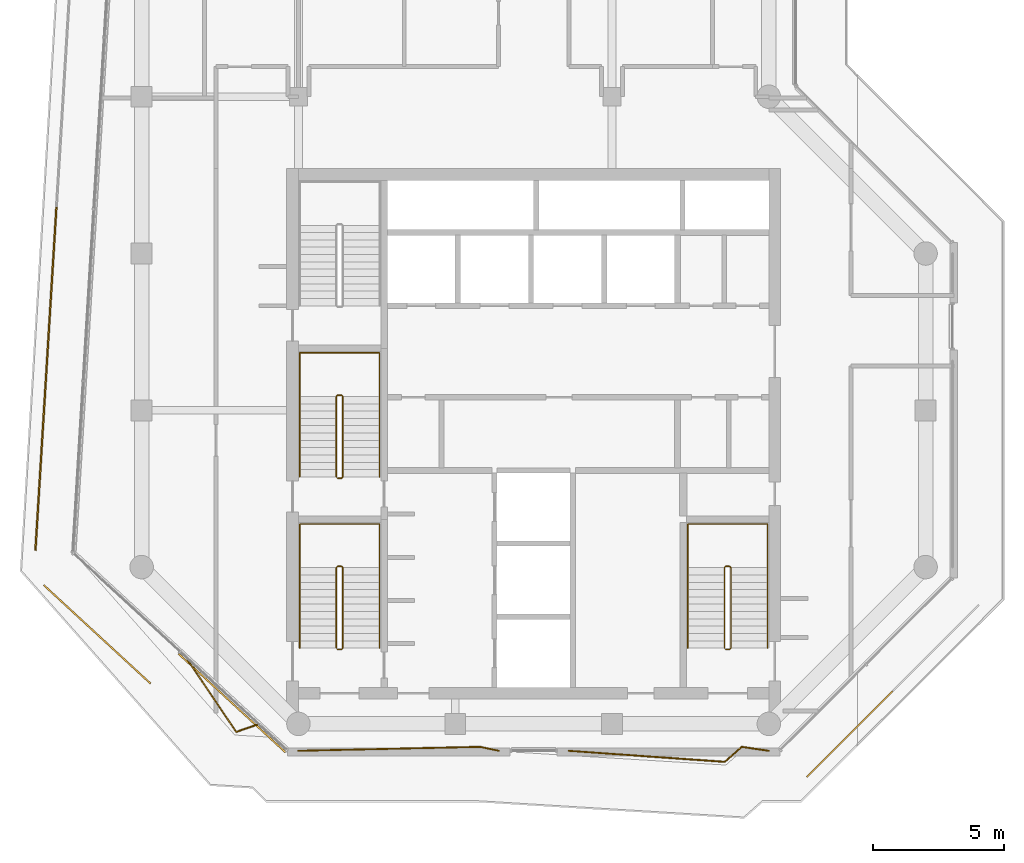
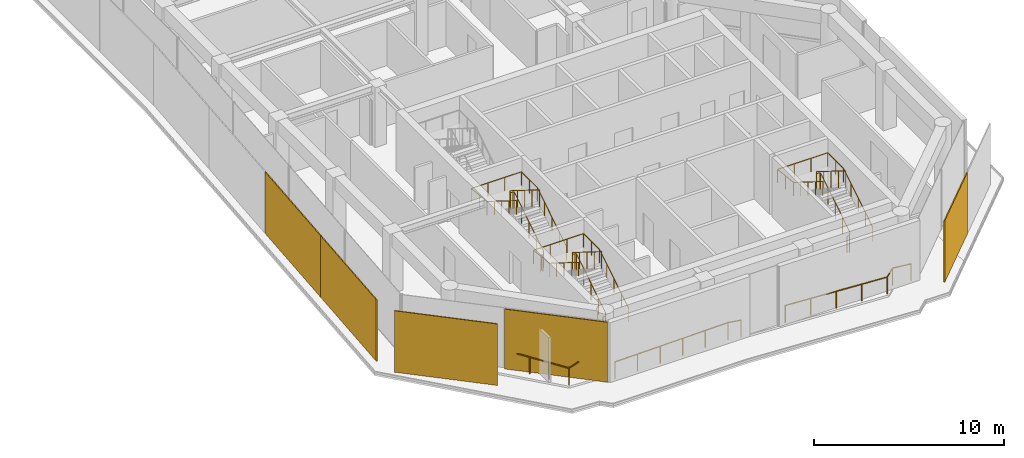
# One storey, part 18 of 19: 9 railings, 5 coverings.
"""IFC4 building model written with IfcOpenShell, lengths in metres."""

from ifc_helpers import new_model, si_unit, direction, frame, origin, origin_2d, place, context, subcontext, project, spatial, rectangle, circle, extrude, material, layer, layer_set, type_object, element, save


model = new_model("IFC4")

# Units and contexts
model_context = context("Model", 3, precision=1e-05, world=origin(), true_north=direction((0.0, 1.0)))
body_context = subcontext(model_context, "Body", "Model", "MODEL_VIEW")
ifc_project = project(units=[si_unit("LENGTHUNIT", "METRE"), si_unit("AREAUNIT", "SQUARE_METRE"), si_unit("VOLUMEUNIT", "CUBIC_METRE"), si_unit("PLANEANGLEUNIT", "RADIAN"), si_unit("MASSUNIT", "GRAM", prefix="KILO")], contexts=[model_context])

# Site, building, storey
site_placement = place(None, origin())
site = spatial("IfcSite", under=ifc_project, at=site_placement, CompositionType="ELEMENT")
building_placement = place(site_placement, origin())
building = spatial("IfcBuilding", under=site, at=building_placement, Name="Welwitschia Terrace Campus", CompositionType="ELEMENT")
storey_placement = place(building_placement, frame((0.0, 0.0, 243.199951171875)))
storey = spatial("IfcBuildingStorey", under=building, at=storey_placement, Name="L54", CompositionType="ELEMENT", Elevation=243.199951171875)

# Coverings
ifc_material_1 = material(Name="Bronze mesh aluminium screen", Category="aluminium")
ifc_layer = layer(ifc_material_1, 0.06005859375)
ifc_layer_set = layer_set([ifc_layer], Name="Bronze mesh aluminium screen")
covering_type = type_object("IfcCoveringType", Name="Bronze screen 60", PredefinedType="USERDEFINED", material=ifc_layer_set)
for number, where, z_axis, x_axis, name in (
    (1, (-3.462890625, 20.49169921875, 0.0), (0.0, 0.0, 1.0), (-0.061048539535, -0.998134798422, 0.0), "Screen L54.0.2"),
    (2, (-3.865234375, 13.9150390625, 0.0), (0.0, 0.0, 1.0), (-0.061048539535, -0.998134798422, 0.0), "Screen L54.0.3"),
):
    element("IfcCovering", number, at=place(storey_placement, frame(where, z_axis=z_axis, x_axis=x_axis)), inside=storey, type_object=covering_type, Name=name, ObjectType="SCREEN", PredefinedType="USERDEFINED", context=body_context, shape_type="SweptSolid", body=[
        extrude(rectangle(XDim=6.569091796875, YDim=0.06005859375, at=origin_2d()), origin(), (0.0, 0.0, 1.0), 3.949951171875),
    ])
covering_1_placement = place(storey_placement, frame((-1.706787109375, 7.430908203125, 0.0), z_axis=(0.0, 0.0, 1.0), x_axis=(0.735310614007, -0.677730256761, 0.0)))
element("IfcCovering", 3, at=covering_1_placement, inside=storey, type_object=covering_type, Name="Screen L54.1.0", ObjectType="SCREEN", PredefinedType="USERDEFINED", context=body_context, shape_type="SweptSolid", body=[
    extrude(rectangle(XDim=5.564208984375, YDim=0.06005859375, at=origin_2d()), origin(), (0.0, 0.0, 1.0), 3.949951171875),
])
covering_2_placement = place(storey_placement, frame((3.459228515625, 4.796142578125, 0.0), z_axis=(0.0, 0.0, 1.0), x_axis=(0.735310614007, -0.677730256761, 0.0)))
element("IfcCovering", 4, at=covering_2_placement, inside=storey, type_object=covering_type, Name="Screen L54.1.1", ObjectType="SCREEN", PredefinedType="USERDEFINED", context=body_context, shape_type="SweptSolid", body=[
    extrude(rectangle(XDim=5.564208984375, YDim=0.06005859375, at=origin_2d()), origin(), (0.0, 0.0, 1.0), 3.85009765625),
])
covering_3_placement = place(storey_placement, frame((27.088623046875, 3.609619140625, 0.0), z_axis=(0.0, 0.0, 1.0), x_axis=(0.707106781187, 0.707106781187, 0.0)))
element("IfcCovering", 5, at=covering_3_placement, inside=storey, type_object=covering_type, Name="Screen L54.3.0", ObjectType="SCREEN", PredefinedType="USERDEFINED", context=body_context, shape_type="SweptSolid", body=[
    extrude(rectangle(XDim=4.6494140625, YDim=0.06005859375, at=origin_2d()), origin(), (0.0, 0.0, 1.0), 3.949951171875),
])

# Railings
ifc_material_2 = material(Name="Stainless steel grade 316", Category="steel")
railing_type_1 = type_object("IfcRailingType", Name="Guard 1100", PredefinedType="GUARDRAIL", material=ifc_material_2)
railing_1_placement = place(storey_placement, frame((4.468017578125, 3.98876953125, 0.0)))
element("IfcRailing", 6, at=railing_1_placement, inside=storey, type_object=railing_type_1, Name="Guard floor edge L54.1", PredefinedType="GUARDRAIL", context=body_context, shape_type="SweptSolid", body=[
    extrude(circle(Radius=0.02392578125, at=origin_2d()), frame((0.0, 0.0, 1.076171875), z_axis=(-0.943480803884, -0.331427175565, 0.0), x_axis=(0.331427175565, -0.943480803884, 0.0)), (0.0, 0.0, 1.0), 0.898681640625),
    extrude(circle(Radius=0.02392578125, at=origin_2d()), frame((-0.847900390625, -0.2978515625, 1.076171875), z_axis=(-0.559987176409, 0.828501274747, 0.0), x_axis=(-0.828501274747, -0.559987176409, 0.0)), (0.0, 0.0, 1.0), 3.4560546875),
    extrude(circle(Radius=0.02099609375, at=origin_2d()), origin(), (0.0, 0.0, 1.0), 1.052001953125),
    extrude(circle(Radius=0.02099609375, at=origin_2d()), frame((-0.847900390625, -0.2978515625, 0.0)), (0.0, 0.0, 1.0), 1.052001953125),
    extrude(circle(Radius=0.02099609375, at=origin_2d()), frame((-1.492919921875, 0.656494140625, 0.0)), (0.0, 0.0, 1.0), 1.052001953125),
    extrude(circle(Radius=0.02099609375, at=origin_2d()), frame((-2.13818359375, 1.611083984375, 0.0)), (0.0, 0.0, 1.0), 1.052001953125),
    extrude(circle(Radius=0.02099609375, at=origin_2d()), frame((-2.783203125, 2.5654296875, 0.0)), (0.0, 0.0, 1.0), 1.052001953125),
])
railing_2_placement = place(storey_placement, frame((13.663330078125, 2.969970703125, 0.0)))
element("IfcRailing", 7, at=railing_2_placement, inside=storey, type_object=railing_type_1, Name="Guard floor edge L54.2", PredefinedType="GUARDRAIL", context=body_context, shape_type="SweptSolid", body=[
    extrude(circle(Radius=0.02392578125, at=origin_2d()), frame((0.0, 0.0, 1.076171875), z_axis=(-0.978171729919, 0.207798139517, 0.0), x_axis=(-0.207798139517, -0.978171729919, 0.0)), (0.0, 0.0, 1.0), 0.72265625),
    extrude(circle(Radius=0.02392578125, at=origin_2d()), frame((-0.706787109375, 0.150146484375, 1.076171875), z_axis=(-0.99976732109, -0.021570898908, 0.0), x_axis=(0.021570898908, -0.99976732109, 0.0)), (0.0, 0.0, 1.0), 6.960693359375),
    extrude(circle(Radius=0.02099609375, at=origin_2d()), origin(), (0.0, 0.0, 1.0), 1.052001953125),
    extrude(circle(Radius=0.02099609375, at=origin_2d()), frame((-0.706787109375, 0.150146484375, 0.0)), (0.0, 0.0, 1.0), 1.052001953125),
    extrude(circle(Radius=0.02099609375, at=origin_2d()), frame((-2.0986328125, 0.1201171875, 0.0)), (0.0, 0.0, 1.0), 1.052001953125),
    extrude(circle(Radius=0.02099609375, at=origin_2d()), frame((-3.490478515625, 0.090087890625, 0.0)), (0.0, 0.0, 1.0), 1.052001953125),
    extrude(circle(Radius=0.02099609375, at=origin_2d()), frame((-4.882080078125, 0.06005859375, 0.0)), (0.0, 0.0, 1.0), 1.052001953125),
    extrude(circle(Radius=0.02099609375, at=origin_2d()), frame((-6.27392578125, 0.030029296875, 0.0)), (0.0, 0.0, 1.0), 1.052001953125),
    extrude(circle(Radius=0.02099609375, at=origin_2d()), frame((-7.665771484375, 0.0, 0.0)), (0.0, 0.0, 1.0), 1.052001953125),
])
railing_3_placement = place(storey_placement, frame((24.0029296875, 2.969970703125, 0.0)))
element("IfcRailing", 8, at=railing_3_placement, inside=storey, type_object=railing_type_1, Name="Guard floor edge L54.4", PredefinedType="GUARDRAIL", context=body_context, shape_type="SweptSolid", body=[
    extrude(circle(Radius=0.02392578125, at=origin_2d()), frame((0.0, 0.0, 1.076171875), z_axis=(-0.989772435078, 0.142655272457, 0.0), x_axis=(-0.142655272457, -0.989772435078, 0.0)), (0.0, 0.0, 1.0), 1.052490234375),
    extrude(circle(Radius=0.02392578125, at=origin_2d()), frame((-1.041748046875, 0.150146484375, 1.076171875), z_axis=(-0.748888672256, -0.662695825071, 0.0), x_axis=(0.662695825071, -0.748888672256, 0.0)), (0.0, 0.0, 1.0), 0.864013671875),
    extrude(circle(Radius=0.02392578125, at=origin_2d()), frame((-1.688720703125, -0.42236328125, 1.076171875), z_axis=(-0.99750529572, 0.070591678049, 0.0), x_axis=(-0.070591678049, -0.99750529572, 0.0)), (0.0, 0.0, 1.0), 5.983154296875),
    extrude(circle(Radius=0.02099609375, at=origin_2d()), origin(), (0.0, 0.0, 1.0), 1.052001953125),
    extrude(circle(Radius=0.02099609375, at=origin_2d()), frame((-1.041748046875, 0.150146484375, 0.0)), (0.0, 0.0, 1.0), 1.052001953125),
    extrude(circle(Radius=0.02099609375, at=origin_2d()), frame((-1.688720703125, -0.42236328125, 0.0)), (0.0, 0.0, 1.0), 1.052001953125),
    extrude(circle(Radius=0.02099609375, at=origin_2d()), frame((-3.1806640625, -0.31689453125, 0.0)), (0.0, 0.0, 1.0), 1.052001953125),
    extrude(circle(Radius=0.02099609375, at=origin_2d()), frame((-4.6728515625, -0.211181640625, 0.0)), (0.0, 0.0, 1.0), 1.052001953125),
    extrude(circle(Radius=0.02099609375, at=origin_2d()), frame((-6.1650390625, -0.10546875, 0.0)), (0.0, 0.0, 1.0), 1.052001953125),
    extrude(circle(Radius=0.02099609375, at=origin_2d()), frame((-7.656982421875, 0.0, 0.0)), (0.0, 0.0, 1.0), 1.052001953125),
])
ifc_material_3 = material(Name="Steel S355", Category="steel")
railing_type_2 = type_object("IfcRailingType", Name="Stair guard 1100", PredefinedType="GUARDRAIL", material=ifc_material_3)
railing_4_placement = place(storey_placement, frame((7.5, 6.85009765625, 0.0)))
element("IfcRailing", 9, at=railing_4_placement, inside=storey, type_object=railing_type_2, Name="L54 S1 stair guard", PredefinedType="GUARDRAIL", context=body_context, shape_type="SweptSolid", body=[
    extrude(circle(Radius=0.02392578125, at=origin_2d()), frame((0.0, 0.0, 1.076171875), z_axis=(1.0, 0.0, 0.0), x_axis=(0.0, 1.0, 0.0)), (0.0, 0.0, 1.0), 0.14990234375),
    extrude(circle(Radius=0.02392578125, at=origin_2d()), frame((0.14990234375, 0.0, 1.076171875), z_axis=(0.265155923931, 0.263862480399, 0.927399011991), x_axis=(-0.705375805398, 0.708833529934, 0.0)), (0.0, 0.0, 1.0), 0.188720703125),
    extrude(circle(Radius=0.02392578125, at=origin_2d()), frame((0.199951171875, 0.0498046875, 1.2509765625), z_axis=(0.0, 0.847998304005, 0.529998940003), x_axis=(-1.0, 0.0, 0.0)), (0.0, 0.0, 1.0), 3.632080078125),
    extrude(circle(Radius=0.02392578125, at=origin_2d()), frame((0.199951171875, 3.1298828125, 3.17626953125), z_axis=(-0.707106781187, 0.707106781187, 0.0), x_axis=(-0.707106781187, -0.707106781187, 0.0)), (0.0, 0.0, 1.0), 0.07080078125),
    extrude(circle(Radius=0.02392578125, at=origin_2d()), frame((0.14990234375, 3.179931640625, 3.17626953125), z_axis=(-1.0, 0.0, 0.0), x_axis=(0.0, -1.0, 0.0)), (0.0, 0.0, 1.0), 0.14990234375),
    extrude(circle(Radius=0.02392578125, at=origin_2d()), frame((0.0, 3.179931640625, 3.17626953125), z_axis=(-0.265065253269, -0.265065253269, 0.927081885822), x_axis=(0.707106781187, -0.707106781187, 0.0)), (0.0, 0.0, 1.0), 0.188720703125),
    extrude(circle(Radius=0.02392578125, at=origin_2d()), frame((-0.050048828125, 3.1298828125, 3.35107421875), z_axis=(0.0, -0.848028513186, 0.529950602248), x_axis=(1.0, 0.0, 0.0)), (0.0, 0.0, 1.0), 3.632080078125),
    extrude(circle(Radius=0.02099609375, at=origin_2d()), origin(), (0.0, 0.0, 1.0), 1.052001953125),
    extrude(circle(Radius=0.02099609375, at=origin_2d()), frame((0.14990234375, 0.0, 0.0)), (0.0, 0.0, 1.0), 1.052001953125),
    extrude(circle(Radius=0.02099609375, at=origin_2d()), frame((0.199951171875, 0.0498046875, 0.175048828125)), (0.0, 0.0, 1.0), 1.052001953125),
    extrude(circle(Radius=0.02099609375, at=origin_2d()), frame((0.199951171875, 0.81982421875, 0.65625)), (0.0, 0.0, 1.0), 1.052001953125),
    extrude(circle(Radius=0.02099609375, at=origin_2d()), frame((0.199951171875, 1.58984375, 1.1376953125)), (0.0, 0.0, 1.0), 1.052001953125),
    extrude(circle(Radius=0.02099609375, at=origin_2d()), frame((0.199951171875, 2.35986328125, 1.618896484375)), (0.0, 0.0, 1.0), 1.052001953125),
    extrude(circle(Radius=0.02099609375, at=origin_2d()), frame((0.199951171875, 3.1298828125, 2.10009765625)), (0.0, 0.0, 1.0), 1.052001953125),
    extrude(circle(Radius=0.02099609375, at=origin_2d()), frame((0.14990234375, 3.179931640625, 2.10009765625)), (0.0, 0.0, 1.0), 1.052001953125),
    extrude(circle(Radius=0.02099609375, at=origin_2d()), frame((0.0, 3.179931640625, 2.10009765625)), (0.0, 0.0, 1.0), 1.052001953125),
    extrude(circle(Radius=0.02099609375, at=origin_2d()), frame((-0.050048828125, 3.1298828125, 2.275146484375)), (0.0, 0.0, 1.0), 1.052001953125),
    extrude(circle(Radius=0.02099609375, at=origin_2d()), frame((-0.050048828125, 2.35986328125, 2.75634765625)), (0.0, 0.0, 1.0), 1.052001953125),
    extrude(circle(Radius=0.02099609375, at=origin_2d()), frame((-0.050048828125, 1.58984375, 3.237548828125)), (0.0, 0.0, 1.0), 1.052001953125),
    extrude(circle(Radius=0.02099609375, at=origin_2d()), frame((-0.050048828125, 0.81982421875, 3.71875)), (0.0, 0.0, 1.0), 1.052001953125),
    extrude(circle(Radius=0.02099609375, at=origin_2d()), frame((-0.050048828125, 0.0498046875, 4.199951171875)), (0.0, 0.0, 1.0), 1.052001953125),
])
railing_5_placement = place(storey_placement, frame((7.5, 13.39990234375, 0.0)))
element("IfcRailing", 10, at=railing_5_placement, inside=storey, type_object=railing_type_2, Name="L54 S3 stair guard", PredefinedType="GUARDRAIL", context=body_context, shape_type="SweptSolid", body=[
    extrude(circle(Radius=0.02392578125, at=origin_2d()), frame((0.0, 0.0, 1.076171875), z_axis=(1.0, 0.0, 0.0), x_axis=(0.0, 1.0, 0.0)), (0.0, 0.0, 1.0), 0.14990234375),
    extrude(circle(Radius=0.02392578125, at=origin_2d()), frame((0.14990234375, 0.0, 1.076171875), z_axis=(0.265065253269, 0.265065253269, 0.927081885822), x_axis=(-0.707106781187, 0.707106781187, 0.0)), (0.0, 0.0, 1.0), 0.188720703125),
    extrude(circle(Radius=0.02392578125, at=origin_2d()), frame((0.199951171875, 0.050048828125, 1.2509765625), z_axis=(0.0, 0.847998304005, 0.529998940003), x_axis=(-1.0, 0.0, 0.0)), (0.0, 0.0, 1.0), 3.632080078125),
    extrude(circle(Radius=0.02392578125, at=origin_2d()), frame((0.199951171875, 3.130126953125, 3.17626953125), z_axis=(-0.707106781187, 0.707106781187, 0.0), x_axis=(-0.707106781187, -0.707106781187, 0.0)), (0.0, 0.0, 1.0), 0.07080078125),
    extrude(circle(Radius=0.02392578125, at=origin_2d()), frame((0.14990234375, 3.18017578125, 3.17626953125), z_axis=(-1.0, 0.0, 0.0), x_axis=(0.0, -1.0, 0.0)), (0.0, 0.0, 1.0), 0.14990234375),
    extrude(circle(Radius=0.02392578125, at=origin_2d()), frame((0.0, 3.18017578125, 3.17626953125), z_axis=(-0.265065253269, -0.265065253269, 0.927081885822), x_axis=(0.707106781187, -0.707106781187, 0.0)), (0.0, 0.0, 1.0), 0.188720703125),
    extrude(circle(Radius=0.02392578125, at=origin_2d()), frame((-0.050048828125, 3.130126953125, 3.35107421875), z_axis=(0.0, -0.848028513186, 0.529950602248), x_axis=(1.0, 0.0, 0.0)), (0.0, 0.0, 1.0), 3.632080078125),
    extrude(circle(Radius=0.02099609375, at=origin_2d()), origin(), (0.0, 0.0, 1.0), 1.052001953125),
    extrude(circle(Radius=0.02099609375, at=origin_2d()), frame((0.14990234375, 0.0, 0.0)), (0.0, 0.0, 1.0), 1.052001953125),
    extrude(circle(Radius=0.02099609375, at=origin_2d()), frame((0.199951171875, 0.050048828125, 0.175048828125)), (0.0, 0.0, 1.0), 1.052001953125),
    extrude(circle(Radius=0.02099609375, at=origin_2d()), frame((0.199951171875, 0.820068359375, 0.65625)), (0.0, 0.0, 1.0), 1.052001953125),
    extrude(circle(Radius=0.02099609375, at=origin_2d()), frame((0.199951171875, 1.590087890625, 1.1376953125)), (0.0, 0.0, 1.0), 1.052001953125),
    extrude(circle(Radius=0.02099609375, at=origin_2d()), frame((0.199951171875, 2.360107421875, 1.618896484375)), (0.0, 0.0, 1.0), 1.052001953125),
    extrude(circle(Radius=0.02099609375, at=origin_2d()), frame((0.199951171875, 3.130126953125, 2.10009765625)), (0.0, 0.0, 1.0), 1.052001953125),
    extrude(circle(Radius=0.02099609375, at=origin_2d()), frame((0.14990234375, 3.18017578125, 2.10009765625)), (0.0, 0.0, 1.0), 1.052001953125),
    extrude(circle(Radius=0.02099609375, at=origin_2d()), frame((0.0, 3.18017578125, 2.10009765625)), (0.0, 0.0, 1.0), 1.052001953125),
    extrude(circle(Radius=0.02099609375, at=origin_2d()), frame((-0.050048828125, 3.130126953125, 2.275146484375)), (0.0, 0.0, 1.0), 1.052001953125),
    extrude(circle(Radius=0.02099609375, at=origin_2d()), frame((-0.050048828125, 2.360107421875, 2.75634765625)), (0.0, 0.0, 1.0), 1.052001953125),
    extrude(circle(Radius=0.02099609375, at=origin_2d()), frame((-0.050048828125, 1.590087890625, 3.237548828125)), (0.0, 0.0, 1.0), 1.052001953125),
    extrude(circle(Radius=0.02099609375, at=origin_2d()), frame((-0.050048828125, 0.820068359375, 3.71875)), (0.0, 0.0, 1.0), 1.052001953125),
    extrude(circle(Radius=0.02099609375, at=origin_2d()), frame((-0.050048828125, 0.050048828125, 4.199951171875)), (0.0, 0.0, 1.0), 1.052001953125),
])
railing_6_placement = place(storey_placement, frame((22.35009765625, 6.85009765625, 0.0)))
element("IfcRailing", 11, at=railing_6_placement, inside=storey, type_object=railing_type_2, Name="L54 S2 stair guard", PredefinedType="GUARDRAIL", context=body_context, shape_type="SweptSolid", body=[
    extrude(circle(Radius=0.02392578125, at=origin_2d()), frame((0.0, 0.0, 1.076171875), z_axis=(1.0, 0.0, 0.0), x_axis=(0.0, 1.0, 0.0)), (0.0, 0.0, 1.0), 0.14990234375),
    extrude(circle(Radius=0.02392578125, at=origin_2d()), frame((0.14990234375, 0.0, 1.076171875), z_axis=(0.265155923931, 0.263862480399, 0.927399011991), x_axis=(-0.705375805398, 0.708833529934, 0.0)), (0.0, 0.0, 1.0), 0.188720703125),
    extrude(circle(Radius=0.02392578125, at=origin_2d()), frame((0.199951171875, 0.0498046875, 1.2509765625), z_axis=(0.0, 0.847998304005, 0.529998940003), x_axis=(-1.0, 0.0, 0.0)), (0.0, 0.0, 1.0), 3.632080078125),
    extrude(circle(Radius=0.02392578125, at=origin_2d()), frame((0.199951171875, 3.1298828125, 3.17626953125), z_axis=(-0.707106781187, 0.707106781187, 0.0), x_axis=(-0.707106781187, -0.707106781187, 0.0)), (0.0, 0.0, 1.0), 0.07080078125),
    extrude(circle(Radius=0.02392578125, at=origin_2d()), frame((0.14990234375, 3.179931640625, 3.17626953125), z_axis=(-1.0, 0.0, 0.0), x_axis=(0.0, -1.0, 0.0)), (0.0, 0.0, 1.0), 0.14990234375),
    extrude(circle(Radius=0.02392578125, at=origin_2d()), frame((0.0, 3.179931640625, 3.17626953125), z_axis=(-0.265065253269, -0.265065253269, 0.927081885822), x_axis=(0.707106781187, -0.707106781187, 0.0)), (0.0, 0.0, 1.0), 0.188720703125),
    extrude(circle(Radius=0.02392578125, at=origin_2d()), frame((-0.050048828125, 3.1298828125, 3.35107421875), z_axis=(0.0, -0.848028513186, 0.529950602248), x_axis=(1.0, 0.0, 0.0)), (0.0, 0.0, 1.0), 3.632080078125),
    extrude(circle(Radius=0.02099609375, at=origin_2d()), origin(), (0.0, 0.0, 1.0), 1.052001953125),
    extrude(circle(Radius=0.02099609375, at=origin_2d()), frame((0.14990234375, 0.0, 0.0)), (0.0, 0.0, 1.0), 1.052001953125),
    extrude(circle(Radius=0.02099609375, at=origin_2d()), frame((0.199951171875, 0.0498046875, 0.175048828125)), (0.0, 0.0, 1.0), 1.052001953125),
    extrude(circle(Radius=0.02099609375, at=origin_2d()), frame((0.199951171875, 0.81982421875, 0.65625)), (0.0, 0.0, 1.0), 1.052001953125),
    extrude(circle(Radius=0.02099609375, at=origin_2d()), frame((0.199951171875, 1.58984375, 1.1376953125)), (0.0, 0.0, 1.0), 1.052001953125),
    extrude(circle(Radius=0.02099609375, at=origin_2d()), frame((0.199951171875, 2.35986328125, 1.618896484375)), (0.0, 0.0, 1.0), 1.052001953125),
    extrude(circle(Radius=0.02099609375, at=origin_2d()), frame((0.199951171875, 3.1298828125, 2.10009765625)), (0.0, 0.0, 1.0), 1.052001953125),
    extrude(circle(Radius=0.02099609375, at=origin_2d()), frame((0.14990234375, 3.179931640625, 2.10009765625)), (0.0, 0.0, 1.0), 1.052001953125),
    extrude(circle(Radius=0.02099609375, at=origin_2d()), frame((0.0, 3.179931640625, 2.10009765625)), (0.0, 0.0, 1.0), 1.052001953125),
    extrude(circle(Radius=0.02099609375, at=origin_2d()), frame((-0.050048828125, 3.1298828125, 2.275146484375)), (0.0, 0.0, 1.0), 1.052001953125),
    extrude(circle(Radius=0.02099609375, at=origin_2d()), frame((-0.050048828125, 2.35986328125, 2.75634765625)), (0.0, 0.0, 1.0), 1.052001953125),
    extrude(circle(Radius=0.02099609375, at=origin_2d()), frame((-0.050048828125, 1.58984375, 3.237548828125)), (0.0, 0.0, 1.0), 1.052001953125),
    extrude(circle(Radius=0.02099609375, at=origin_2d()), frame((-0.050048828125, 0.81982421875, 3.71875)), (0.0, 0.0, 1.0), 1.052001953125),
    extrude(circle(Radius=0.02099609375, at=origin_2d()), frame((-0.050048828125, 0.0498046875, 4.199951171875)), (0.0, 0.0, 1.0), 1.052001953125),
])
ifc_material_4 = material(Name="Steel S355", Category="steel")
railing_type_3 = type_object("IfcRailingType", Name="Stair handrail 900", PredefinedType="HANDRAIL", material=ifc_material_4)
railing_7_placement = place(storey_placement, frame((9.10009765625, 6.89990234375, 0.175048828125)))
element("IfcRailing", 12, at=railing_7_placement, inside=storey, type_object=railing_type_3, Name="L54 S1 stair handrail", PredefinedType="HANDRAIL", context=body_context, shape_type="SweptSolid", body=[
    extrude(circle(Radius=0.02392578125, at=origin_2d()), frame((0.0, 0.0, 0.8759765625), z_axis=(0.0, 0.847998304005, 0.529998940003), x_axis=(-1.0, 0.0, 0.0)), (0.0, 0.0, 1.0), 3.632080078125),
    extrude(circle(Radius=0.02392578125, at=origin_2d()), frame((0.0, 3.080078125, 2.80078125), z_axis=(0.0, 1.0, 0.0), x_axis=(-1.0, 0.0, 0.0)), (0.0, 0.0, 1.0), 1.669921875),
    extrude(circle(Radius=0.02392578125, at=origin_2d()), frame((0.0, 4.75, 2.80078125), z_axis=(-1.0, 0.0, 0.0), x_axis=(0.0, -1.0, 0.0)), (0.0, 0.0, 1.0), 3.050048828125),
    extrude(circle(Radius=0.02392578125, at=origin_2d()), frame((-3.050048828125, 4.75, 2.80078125), z_axis=(0.0, -0.99455077262, 0.104253348533), x_axis=(1.0, 0.0, 0.0)), (0.0, 0.0, 1.0), 1.678955078125),
    extrude(circle(Radius=0.02392578125, at=origin_2d()), frame((-3.050048828125, 3.080078125, 2.97607421875), z_axis=(0.0, -0.848028513186, 0.529950602248), x_axis=(1.0, 0.0, 0.0)), (0.0, 0.0, 1.0), 3.632080078125),
    extrude(circle(Radius=0.02099609375, at=origin_2d()), origin(), (0.0, 0.0, 1.0), 0.851806640625),
    extrude(circle(Radius=0.02099609375, at=origin_2d()), frame((0.0, 0.77001953125, 0.481201171875)), (0.0, 0.0, 1.0), 0.851806640625),
    extrude(circle(Radius=0.02099609375, at=origin_2d()), frame((0.0, 1.5400390625, 0.96240234375)), (0.0, 0.0, 1.0), 0.851806640625),
    extrude(circle(Radius=0.02099609375, at=origin_2d()), frame((0.0, 2.31005859375, 1.44384765625)), (0.0, 0.0, 1.0), 0.851806640625),
    extrude(circle(Radius=0.02099609375, at=origin_2d()), frame((0.0, 3.080078125, 1.925048828125)), (0.0, 0.0, 1.0), 0.851806640625),
    extrude(circle(Radius=0.02099609375, at=origin_2d()), frame((0.0, 3.9150390625, 1.925048828125)), (0.0, 0.0, 1.0), 0.851806640625),
    extrude(circle(Radius=0.02099609375, at=origin_2d()), frame((0.0, 4.75, 1.925048828125)), (0.0, 0.0, 1.0), 0.851806640625),
    extrude(circle(Radius=0.02099609375, at=origin_2d()), frame((-1.0166015625, 4.75, 1.925048828125)), (0.0, 0.0, 1.0), 0.851806640625),
    extrude(circle(Radius=0.02099609375, at=origin_2d()), frame((-2.033447265625, 4.75, 1.925048828125)), (0.0, 0.0, 1.0), 0.851806640625),
    extrude(circle(Radius=0.02099609375, at=origin_2d()), frame((-3.050048828125, 4.75, 1.925048828125)), (0.0, 0.0, 1.0), 0.851806640625),
    extrude(circle(Radius=0.02099609375, at=origin_2d()), frame((-3.050048828125, 3.9150390625, 2.0126953125)), (0.0, 0.0, 1.0), 0.851806640625),
    extrude(circle(Radius=0.02099609375, at=origin_2d()), frame((-3.050048828125, 3.080078125, 2.10009765625)), (0.0, 0.0, 1.0), 0.851806640625),
    extrude(circle(Radius=0.02099609375, at=origin_2d()), frame((-3.050048828125, 2.31005859375, 2.581298828125)), (0.0, 0.0, 1.0), 0.851806640625),
    extrude(circle(Radius=0.02099609375, at=origin_2d()), frame((-3.050048828125, 1.5400390625, 3.0625)), (0.0, 0.0, 1.0), 0.851806640625),
    extrude(circle(Radius=0.02099609375, at=origin_2d()), frame((-3.050048828125, 0.77001953125, 3.543701171875)), (0.0, 0.0, 1.0), 0.851806640625),
    extrude(circle(Radius=0.02099609375, at=origin_2d()), frame((-3.050048828125, 0.0, 4.02490234375)), (0.0, 0.0, 1.0), 0.851806640625),
])
railing_8_placement = place(storey_placement, frame((9.10009765625, 13.449951171875, 0.175048828125)))
element("IfcRailing", 13, at=railing_8_placement, inside=storey, type_object=railing_type_3, Name="L54 S3 stair handrail", PredefinedType="HANDRAIL", context=body_context, shape_type="SweptSolid", body=[
    extrude(circle(Radius=0.02392578125, at=origin_2d()), frame((0.0, 0.0, 0.8759765625), z_axis=(0.0, 0.847998304005, 0.529998940003), x_axis=(-1.0, 0.0, 0.0)), (0.0, 0.0, 1.0), 3.632080078125),
    extrude(circle(Radius=0.02392578125, at=origin_2d()), frame((0.0, 3.080078125, 2.80078125), z_axis=(0.0, 1.0, 0.0), x_axis=(-1.0, 0.0, 0.0)), (0.0, 0.0, 1.0), 1.669921875),
    extrude(circle(Radius=0.02392578125, at=origin_2d()), frame((0.0, 4.75, 2.80078125), z_axis=(-1.0, 0.0, 0.0), x_axis=(0.0, -1.0, 0.0)), (0.0, 0.0, 1.0), 3.050048828125),
    extrude(circle(Radius=0.02392578125, at=origin_2d()), frame((-3.050048828125, 4.75, 2.80078125), z_axis=(0.0, -0.99455077262, 0.104253348533), x_axis=(1.0, 0.0, 0.0)), (0.0, 0.0, 1.0), 1.678955078125),
    extrude(circle(Radius=0.02392578125, at=origin_2d()), frame((-3.050048828125, 3.080078125, 2.97607421875), z_axis=(0.0, -0.848028513186, 0.529950602248), x_axis=(1.0, 0.0, 0.0)), (0.0, 0.0, 1.0), 3.632080078125),
    extrude(circle(Radius=0.02099609375, at=origin_2d()), origin(), (0.0, 0.0, 1.0), 0.851806640625),
    extrude(circle(Radius=0.02099609375, at=origin_2d()), frame((0.0, 0.77001953125, 0.481201171875)), (0.0, 0.0, 1.0), 0.851806640625),
    extrude(circle(Radius=0.02099609375, at=origin_2d()), frame((0.0, 1.5400390625, 0.96240234375)), (0.0, 0.0, 1.0), 0.851806640625),
    extrude(circle(Radius=0.02099609375, at=origin_2d()), frame((0.0, 2.31005859375, 1.44384765625)), (0.0, 0.0, 1.0), 0.851806640625),
    extrude(circle(Radius=0.02099609375, at=origin_2d()), frame((0.0, 3.080078125, 1.925048828125)), (0.0, 0.0, 1.0), 0.851806640625),
    extrude(circle(Radius=0.02099609375, at=origin_2d()), frame((0.0, 3.9150390625, 1.925048828125)), (0.0, 0.0, 1.0), 0.851806640625),
    extrude(circle(Radius=0.02099609375, at=origin_2d()), frame((0.0, 4.75, 1.925048828125)), (0.0, 0.0, 1.0), 0.851806640625),
    extrude(circle(Radius=0.02099609375, at=origin_2d()), frame((-1.0166015625, 4.75, 1.925048828125)), (0.0, 0.0, 1.0), 0.851806640625),
    extrude(circle(Radius=0.02099609375, at=origin_2d()), frame((-2.033447265625, 4.75, 1.925048828125)), (0.0, 0.0, 1.0), 0.851806640625),
    extrude(circle(Radius=0.02099609375, at=origin_2d()), frame((-3.050048828125, 4.75, 1.925048828125)), (0.0, 0.0, 1.0), 0.851806640625),
    extrude(circle(Radius=0.02099609375, at=origin_2d()), frame((-3.050048828125, 3.9150390625, 2.0126953125)), (0.0, 0.0, 1.0), 0.851806640625),
    extrude(circle(Radius=0.02099609375, at=origin_2d()), frame((-3.050048828125, 3.080078125, 2.10009765625)), (0.0, 0.0, 1.0), 0.851806640625),
    extrude(circle(Radius=0.02099609375, at=origin_2d()), frame((-3.050048828125, 2.31005859375, 2.581298828125)), (0.0, 0.0, 1.0), 0.851806640625),
    extrude(circle(Radius=0.02099609375, at=origin_2d()), frame((-3.050048828125, 1.5400390625, 3.0625)), (0.0, 0.0, 1.0), 0.851806640625),
    extrude(circle(Radius=0.02099609375, at=origin_2d()), frame((-3.050048828125, 0.77001953125, 3.543701171875)), (0.0, 0.0, 1.0), 0.851806640625),
    extrude(circle(Radius=0.02099609375, at=origin_2d()), frame((-3.050048828125, 0.0, 4.02490234375)), (0.0, 0.0, 1.0), 0.851806640625),
])
railing_9_placement = place(storey_placement, frame((23.949951171875, 6.89990234375, 0.175048828125)))
element("IfcRailing", 14, at=railing_9_placement, inside=storey, type_object=railing_type_3, Name="L54 S2 stair handrail", PredefinedType="HANDRAIL", context=body_context, shape_type="SweptSolid", body=[
    extrude(circle(Radius=0.02392578125, at=origin_2d()), frame((0.0, 0.0, 0.8759765625), z_axis=(0.0, 0.847998304005, 0.529998940003), x_axis=(-1.0, 0.0, 0.0)), (0.0, 0.0, 1.0), 3.632080078125),
    extrude(circle(Radius=0.02392578125, at=origin_2d()), frame((0.0, 3.080078125, 2.80078125), z_axis=(0.0, 1.0, 0.0), x_axis=(-1.0, 0.0, 0.0)), (0.0, 0.0, 1.0), 1.669921875),
    extrude(circle(Radius=0.02392578125, at=origin_2d()), frame((0.0, 4.75, 2.80078125), z_axis=(-1.0, 0.0, 0.0), x_axis=(0.0, -1.0, 0.0)), (0.0, 0.0, 1.0), 3.050048828125),
    extrude(circle(Radius=0.02392578125, at=origin_2d()), frame((-3.050048828125, 4.75, 2.80078125), z_axis=(0.0, -0.99455077262, 0.104253348533), x_axis=(1.0, 0.0, 0.0)), (0.0, 0.0, 1.0), 1.678955078125),
    extrude(circle(Radius=0.02392578125, at=origin_2d()), frame((-3.050048828125, 3.080078125, 2.97607421875), z_axis=(0.0, -0.848028513186, 0.529950602248), x_axis=(1.0, 0.0, 0.0)), (0.0, 0.0, 1.0), 3.632080078125),
    extrude(circle(Radius=0.02099609375, at=origin_2d()), origin(), (0.0, 0.0, 1.0), 0.851806640625),
    extrude(circle(Radius=0.02099609375, at=origin_2d()), frame((0.0, 0.77001953125, 0.481201171875)), (0.0, 0.0, 1.0), 0.851806640625),
    extrude(circle(Radius=0.02099609375, at=origin_2d()), frame((0.0, 1.5400390625, 0.96240234375)), (0.0, 0.0, 1.0), 0.851806640625),
    extrude(circle(Radius=0.02099609375, at=origin_2d()), frame((0.0, 2.31005859375, 1.44384765625)), (0.0, 0.0, 1.0), 0.851806640625),
    extrude(circle(Radius=0.02099609375, at=origin_2d()), frame((0.0, 3.080078125, 1.925048828125)), (0.0, 0.0, 1.0), 0.851806640625),
    extrude(circle(Radius=0.02099609375, at=origin_2d()), frame((0.0, 3.9150390625, 1.925048828125)), (0.0, 0.0, 1.0), 0.851806640625),
    extrude(circle(Radius=0.02099609375, at=origin_2d()), frame((0.0, 4.75, 1.925048828125)), (0.0, 0.0, 1.0), 0.851806640625),
    extrude(circle(Radius=0.02099609375, at=origin_2d()), frame((-1.0166015625, 4.75, 1.925048828125)), (0.0, 0.0, 1.0), 0.851806640625),
    extrude(circle(Radius=0.02099609375, at=origin_2d()), frame((-2.033447265625, 4.75, 1.925048828125)), (0.0, 0.0, 1.0), 0.851806640625),
    extrude(circle(Radius=0.02099609375, at=origin_2d()), frame((-3.050048828125, 4.75, 1.925048828125)), (0.0, 0.0, 1.0), 0.851806640625),
    extrude(circle(Radius=0.02099609375, at=origin_2d()), frame((-3.050048828125, 3.9150390625, 2.0126953125)), (0.0, 0.0, 1.0), 0.851806640625),
    extrude(circle(Radius=0.02099609375, at=origin_2d()), frame((-3.050048828125, 3.080078125, 2.10009765625)), (0.0, 0.0, 1.0), 0.851806640625),
    extrude(circle(Radius=0.02099609375, at=origin_2d()), frame((-3.050048828125, 2.31005859375, 2.581298828125)), (0.0, 0.0, 1.0), 0.851806640625),
    extrude(circle(Radius=0.02099609375, at=origin_2d()), frame((-3.050048828125, 1.5400390625, 3.0625)), (0.0, 0.0, 1.0), 0.851806640625),
    extrude(circle(Radius=0.02099609375, at=origin_2d()), frame((-3.050048828125, 0.77001953125, 3.543701171875)), (0.0, 0.0, 1.0), 0.851806640625),
    extrude(circle(Radius=0.02099609375, at=origin_2d()), frame((-3.050048828125, 0.0, 4.02490234375)), (0.0, 0.0, 1.0), 0.851806640625),
])

save(model, "model.ifc")
